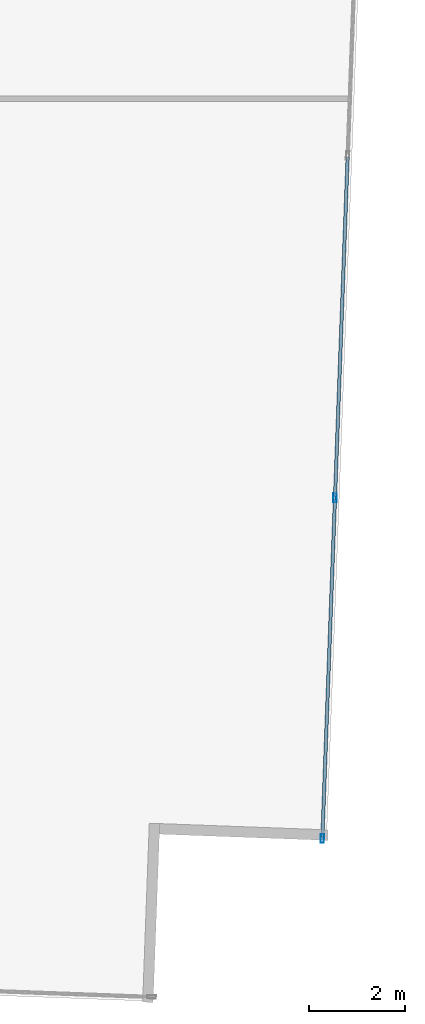
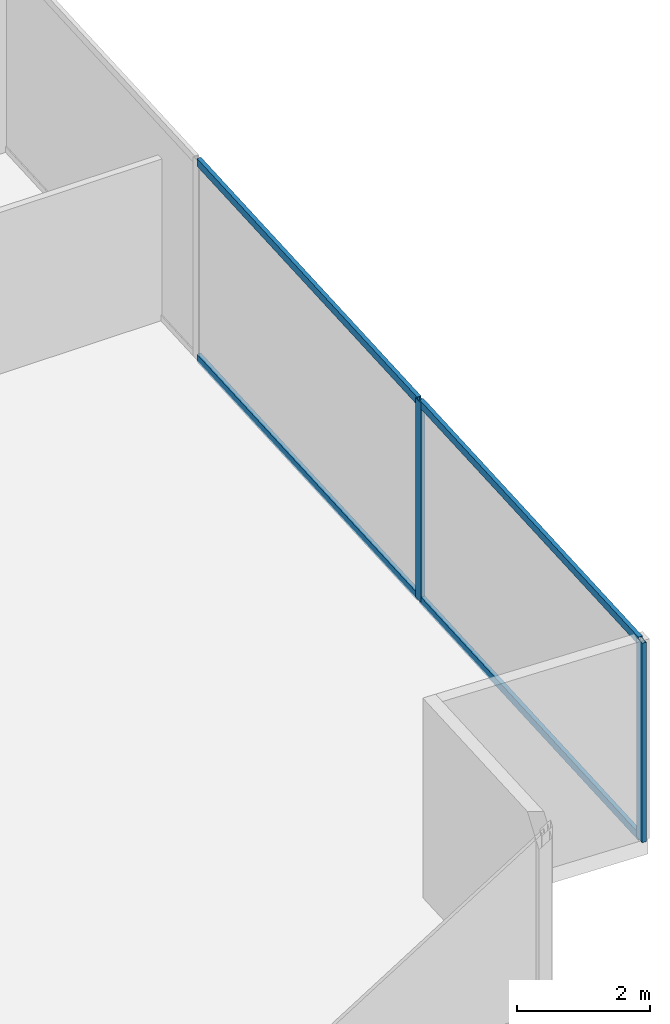
# One storey, part 14 of 30: 6 members, 1 element without a shape of its own.
"""IFC4 building model written with IfcOpenShell, lengths in metres."""

from ifc_helpers import new_model, si_unit, direction, frame, origin, origin_2d, place, context, subcontext, project, spatial, hollow_rectangle, extrude, source, transform, mapped, material, material_profile, profile_set, type_object, type_shapes, element, aggregate, save


model = new_model("IFC4")

# Units and contexts
model_context = context("Model", 3, precision=1e-05, world=origin(), true_north=direction((0.0, 1.0)))
body_context = subcontext(model_context, "Body", "Model", "MODEL_VIEW")
ifc_project = project(units=[si_unit("LENGTHUNIT", "METRE"), si_unit("AREAUNIT", "SQUARE_METRE"), si_unit("VOLUMEUNIT", "CUBIC_METRE"), si_unit("PLANEANGLEUNIT", "RADIAN"), si_unit("MASSUNIT", "GRAM", prefix="KILO")], contexts=[model_context])

# Site, building, storey
site_placement = place(None, origin())
site = spatial("IfcSite", under=ifc_project, at=site_placement, CompositionType="ELEMENT")
building_placement = place(site_placement, origin())
building = spatial("IfcBuilding", under=site, at=building_placement, Name="Krantzveldt Concourse Tower", CompositionType="ELEMENT")
storey_placement = place(building_placement, frame((0.0, 0.0, 44.75)))
storey = spatial("IfcBuildingStorey", under=building, at=storey_placement, Name="L10", CompositionType="ELEMENT", Elevation=44.75)

# Curtain wall, members
ifc_material = material(Name="Anodised aluminium 6063-T6", Category="aluminium")
curtain_wall_type = type_object("IfcCurtainWallType", Name="CW2", PredefinedType="USERDEFINED", material=ifc_material)
curtain_wall_placement = place(storey_placement, origin())
curtain_wall = element("IfcCurtainWall", 1, at=curtain_wall_placement, inside=storey, type_object=curtain_wall_type, Name="CW-L10-F07", ObjectType="UNITISED CURTAIN WALL", PredefinedType="USERDEFINED")
ifc_material_profile_1 = material_profile(ifc_material, hollow_rectangle(XDim=0.070068359375, YDim=0.179931640625, WallThickness=0.0048828125, at=origin_2d()), Name="Anodised aluminium 6063-T6", Category="aluminium")
ifc_profile_set_1 = profile_set([ifc_material_profile_1], Name="Anodised aluminium 6063-T6 - ALU-MULL 180x70x5")
member_type_1 = type_object("IfcMemberType", Name="CW-MUL-180", PredefinedType="MULLION", material=ifc_profile_set_1)
shared_shape_1 = source(origin(), body_context, "Body", "SweptSolid", [
    extrude(hollow_rectangle(XDim=0.070068359375, YDim=0.179931640625, WallThickness=0.0048828125, at=origin_2d()), origin(), (0.0, 0.0, 1.0), 3.669921875),
])
type_shapes(member_type_1, [shared_shape_1])
member_1_placement = place(storey_placement, frame((60.096923828125, 4.326171875, 0.0), z_axis=(0.0, 0.0, 1.0), x_axis=(-0.999312308986, 0.037079766834, 0.0)))
member_1 = element("IfcMember", 2, at=member_1_placement, type_object=member_type_1, Name="CW-Z12 mullion 1", PredefinedType="MULLION", context=body_context, shape_type="MappedRepresentation", body=[
    mapped(shared_shape_1, transform((0.0, 0.0, 0.0), x_axis=(1.0, 0.0, 0.0), y_axis=(0.0, 1.0, 0.0), z_axis=(0.0, 0.0, 1.0), scale=1.0)),
])
member_2_placement = place(storey_placement, frame((60.361328125, 11.452880859375, 0.0), z_axis=(0.0, 0.0, 1.0), x_axis=(-0.999312308986, 0.037079766834, 0.0)))
member_2 = element("IfcMember", 3, at=member_2_placement, type_object=member_type_1, Name="CW-Z12 mullion 2", PredefinedType="MULLION", context=body_context, shape_type="MappedRepresentation", body=[
    mapped(shared_shape_1, transform((0.0, 0.0, 0.0), x_axis=(1.0, 0.0, 0.0), y_axis=(0.0, 1.0, 0.0), z_axis=(0.0, 0.0, 1.0), scale=1.0)),
])
ifc_material_profile_2 = material_profile(ifc_material, hollow_rectangle(XDim=0.070068359375, YDim=0.139892578125, WallThickness=0.0048828125, at=origin_2d()), Name="Anodised aluminium 6063-T6", Category="aluminium")
ifc_profile_set_2 = profile_set([ifc_material_profile_2], Name="Anodised aluminium 6063-T6 - ALU-TRAN 140x70x5")
member_type_2 = type_object("IfcMemberType", Name="CW-TRN-150", PredefinedType="USERDEFINED", material=ifc_profile_set_2)
shared_shape_2 = source(origin(), body_context, "Body", "SweptSolid", [
    extrude(hollow_rectangle(XDim=0.070068359375, YDim=0.139892578125, WallThickness=0.0048828125, at=origin_2d()), origin(), (0.0, 0.0, 1.0), 7.0966796875),
])
member_3_placement = place(storey_placement, frame((60.36279296875, 11.48779296875, 0.034912109375), z_axis=(0.037051105127, 0.999313372075, 0.0), x_axis=(-0.999313372075, 0.037051105127, 0.0)))
member_3 = element("IfcMember", 4, at=member_3_placement, type_object=member_type_2, Name="CW-Z12 transom 2.1", ObjectType="TRANSOM", PredefinedType="USERDEFINED", context=body_context, shape_type="MappedRepresentation", body=[
    mapped(shared_shape_2, transform((0.0, 0.0, 0.0), x_axis=(1.0, 0.0, 0.0), y_axis=(0.0, 1.0, 0.0), z_axis=(0.0, 0.0, 1.0), scale=1.0)),
])
member_4_placement = place(storey_placement, frame((60.36279296875, 11.48779296875, 3.635009765625), z_axis=(0.037051105127, 0.999313372075, 0.0), x_axis=(-0.999313372075, 0.037051105127, 0.0)))
member_4 = element("IfcMember", 5, at=member_4_placement, type_object=member_type_2, Name="CW-Z12 transom 2.2", ObjectType="TRANSOM", PredefinedType="USERDEFINED", context=body_context, shape_type="MappedRepresentation", body=[
    mapped(shared_shape_2, transform((0.0, 0.0, 0.0), x_axis=(1.0, 0.0, 0.0), y_axis=(0.0, 1.0, 0.0), z_axis=(0.0, 0.0, 1.0), scale=1.0)),
])
shared_shape_3 = source(origin(), body_context, "Body", "SweptSolid", [
    extrude(hollow_rectangle(XDim=0.070068359375, YDim=0.139892578125, WallThickness=0.0048828125, at=origin_2d()), origin(), (0.0, 0.0, 1.0), 7.061767578125),
])
type_shapes(member_type_2, [shared_shape_2, shared_shape_3])
member_5_placement = place(storey_placement, frame((60.09814453125, 4.361083984375, 0.034912109375), z_axis=(0.037096054624, 0.99931170449, 0.0), x_axis=(-0.99931170449, 0.037096054624, 0.0)))
member_5 = element("IfcMember", 6, at=member_5_placement, type_object=member_type_2, Name="CW-Z12 transom 1.1", ObjectType="TRANSOM", PredefinedType="USERDEFINED", context=body_context, shape_type="MappedRepresentation", body=[
    mapped(shared_shape_3, transform((0.0, 0.0, 0.0), x_axis=(1.0, 0.0, 0.0), y_axis=(0.0, 1.0, 0.0), z_axis=(0.0, 0.0, 1.0), scale=1.0)),
])
member_6_placement = place(storey_placement, frame((60.09814453125, 4.361083984375, 3.635009765625), z_axis=(0.037096054624, 0.99931170449, 0.0), x_axis=(-0.99931170449, 0.037096054624, 0.0)))
member_6 = element("IfcMember", 7, at=member_6_placement, type_object=member_type_2, Name="CW-Z12 transom 1.2", ObjectType="TRANSOM", PredefinedType="USERDEFINED", context=body_context, shape_type="MappedRepresentation", body=[
    mapped(shared_shape_3, transform((0.0, 0.0, 0.0), x_axis=(1.0, 0.0, 0.0), y_axis=(0.0, 1.0, 0.0), z_axis=(0.0, 0.0, 1.0), scale=1.0)),
])
aggregate(curtain_wall, [member_1, member_2, member_5, member_6, member_3, member_4])

save(model, "model.ifc")
